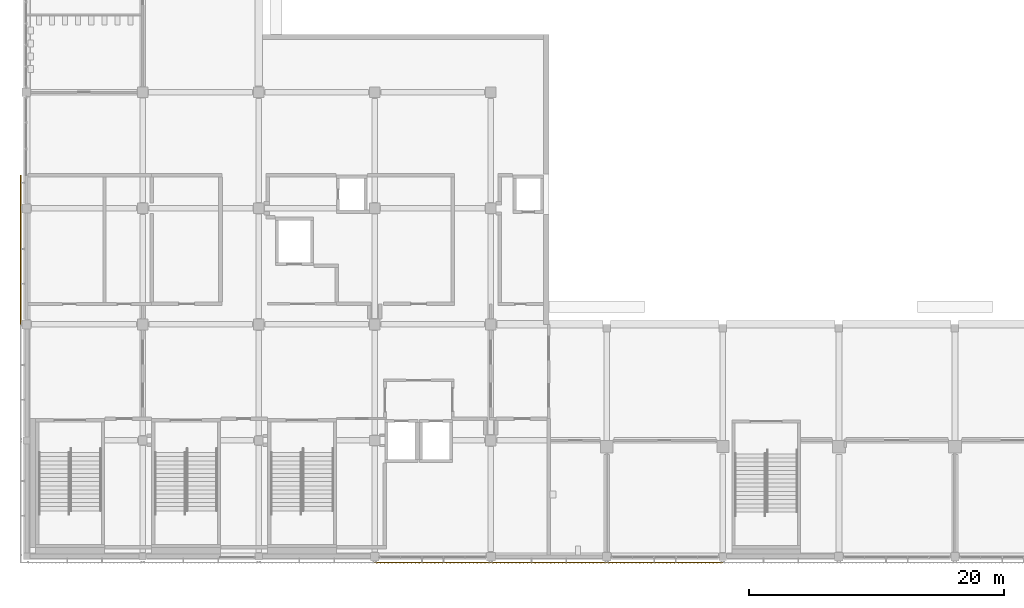
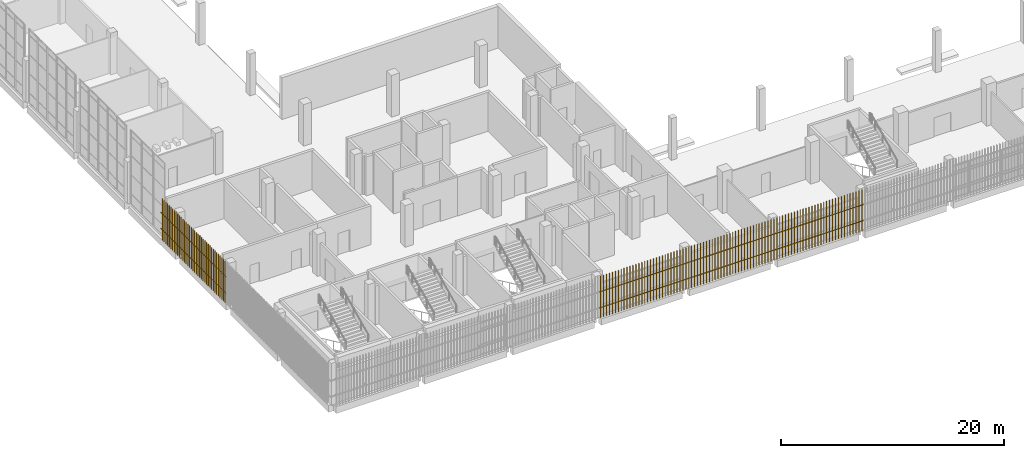
# One storey, part 109 of 126: 5 shading devices.
"""IFC4 building model written with IfcOpenShell, lengths in metres."""

from ifc_helpers import new_model, si_unit, direction, frame, origin, origin_2d, place, context, subcontext, project, spatial, rectangle, extrude, material, type_object, element, save


model = new_model("IFC4")

# Units and contexts
model_context = context("Model", 3, precision=1e-05, world=origin(), true_north=direction((0.0, 1.0)))
body_context = subcontext(model_context, "Body", "Model", "MODEL_VIEW")
ifc_project = project(units=[si_unit("LENGTHUNIT", "METRE"), si_unit("AREAUNIT", "SQUARE_METRE"), si_unit("VOLUMEUNIT", "CUBIC_METRE"), si_unit("PLANEANGLEUNIT", "RADIAN"), si_unit("MASSUNIT", "GRAM", prefix="KILO")], contexts=[model_context])

# Site, building, storey
site_placement = place(None, origin())
site = spatial("IfcSite", under=ifc_project, at=site_placement, CompositionType="ELEMENT")
building_placement = place(site_placement, origin())
building = spatial("IfcBuilding", under=site, at=building_placement, Name="Shirokan Park Arena", CompositionType="ELEMENT")
storey_placement = place(building_placement, frame((0.0, 0.0, 6.3701171875)))
storey = spatial("IfcBuildingStorey", under=building, at=storey_placement, Name="L01", CompositionType="ELEMENT", Elevation=6.3701171875)

# Shading devices
ifc_material = material(Name="Timber louvre veil (cedar)", Category="wood")
shading_device_type = type_object("IfcShadingDeviceType", Name="Timber louvre veil panel", PredefinedType="JALOUSIE", material=ifc_material)
shading_device_1_placement = place(storey_placement, origin())
element("IfcShadingDevice", 1, at=shading_device_1_placement, inside=storey, type_object=shading_device_type, Name="Timber louvre veil south bay 4 L01", PredefinedType="JALOUSIE", context=body_context, shape_type="SweptSolid", body=[
    extrude(rectangle(XDim=0.050048828125, YDim=0.080078125, at=origin_2d()), frame((27.45166015625, -0.485107421875, 0.0), z_axis=(0.0, 0.0, 1.0), x_axis=(1.0, 0.0, 0.0)), (0.0, 0.0, 1.0), 4.550048828125),
    extrude(rectangle(XDim=0.050048828125, YDim=0.080078125, at=origin_2d()), frame((27.7548828125, -0.485107421875, 0.0), z_axis=(0.0, 0.0, 1.0), x_axis=(1.0, 0.0, 0.0)), (0.0, 0.0, 1.0), 4.550048828125),
    extrude(rectangle(XDim=0.050048828125, YDim=0.080078125, at=origin_2d()), frame((28.058349609375, -0.485107421875, 0.0), z_axis=(0.0, 0.0, 1.0), x_axis=(1.0, 0.0, 0.0)), (0.0, 0.0, 1.0), 4.550048828125),
    extrude(rectangle(XDim=0.050048828125, YDim=0.080078125, at=origin_2d()), frame((28.361572265625, -0.485107421875, 0.0), z_axis=(0.0, 0.0, 1.0), x_axis=(1.0, 0.0, 0.0)), (0.0, 0.0, 1.0), 4.550048828125),
    extrude(rectangle(XDim=0.050048828125, YDim=0.080078125, at=origin_2d()), frame((28.6650390625, -0.485107421875, 0.0), z_axis=(0.0, 0.0, 1.0), x_axis=(1.0, 0.0, 0.0)), (0.0, 0.0, 1.0), 4.550048828125),
    extrude(rectangle(XDim=0.050048828125, YDim=0.080078125, at=origin_2d()), frame((28.96826171875, -0.485107421875, 0.0), z_axis=(0.0, 0.0, 1.0), x_axis=(1.0, 0.0, 0.0)), (0.0, 0.0, 1.0), 4.550048828125),
    extrude(rectangle(XDim=0.050048828125, YDim=0.080078125, at=origin_2d()), frame((29.271728515625, -0.485107421875, 0.0), z_axis=(0.0, 0.0, 1.0), x_axis=(1.0, 0.0, 0.0)), (0.0, 0.0, 1.0), 4.550048828125),
    extrude(rectangle(XDim=0.050048828125, YDim=0.080078125, at=origin_2d()), frame((29.574951171875, -0.485107421875, 0.0), z_axis=(0.0, 0.0, 1.0), x_axis=(1.0, 0.0, 0.0)), (0.0, 0.0, 1.0), 4.550048828125),
    extrude(rectangle(XDim=0.050048828125, YDim=0.080078125, at=origin_2d()), frame((29.87841796875, -0.485107421875, 0.0), z_axis=(0.0, 0.0, 1.0), x_axis=(1.0, 0.0, 0.0)), (0.0, 0.0, 1.0), 4.550048828125),
    extrude(rectangle(XDim=0.050048828125, YDim=0.080078125, at=origin_2d()), frame((30.181640625, -0.485107421875, 0.0), z_axis=(0.0, 0.0, 1.0), x_axis=(1.0, 0.0, 0.0)), (0.0, 0.0, 1.0), 4.550048828125),
    extrude(rectangle(XDim=0.050048828125, YDim=0.080078125, at=origin_2d()), frame((30.485107421875, -0.485107421875, 0.0), z_axis=(0.0, 0.0, 1.0), x_axis=(1.0, 0.0, 0.0)), (0.0, 0.0, 1.0), 4.550048828125),
    extrude(rectangle(XDim=0.050048828125, YDim=0.080078125, at=origin_2d()), frame((30.788330078125, -0.485107421875, 0.0), z_axis=(0.0, 0.0, 1.0), x_axis=(1.0, 0.0, 0.0)), (0.0, 0.0, 1.0), 4.550048828125),
    extrude(rectangle(XDim=0.050048828125, YDim=0.080078125, at=origin_2d()), frame((31.091552734375, -0.485107421875, 0.0), z_axis=(0.0, 0.0, 1.0), x_axis=(1.0, 0.0, 0.0)), (0.0, 0.0, 1.0), 4.550048828125),
    extrude(rectangle(XDim=0.050048828125, YDim=0.080078125, at=origin_2d()), frame((31.39501953125, -0.485107421875, 0.0), z_axis=(0.0, 0.0, 1.0), x_axis=(1.0, 0.0, 0.0)), (0.0, 0.0, 1.0), 4.550048828125),
    extrude(rectangle(XDim=0.050048828125, YDim=0.080078125, at=origin_2d()), frame((31.6982421875, -0.485107421875, 0.0), z_axis=(0.0, 0.0, 1.0), x_axis=(1.0, 0.0, 0.0)), (0.0, 0.0, 1.0), 4.550048828125),
    extrude(rectangle(XDim=0.050048828125, YDim=0.080078125, at=origin_2d()), frame((32.001708984375, -0.485107421875, 0.0), z_axis=(0.0, 0.0, 1.0), x_axis=(1.0, 0.0, 0.0)), (0.0, 0.0, 1.0), 4.550048828125),
    extrude(rectangle(XDim=0.050048828125, YDim=0.080078125, at=origin_2d()), frame((32.304931640625, -0.485107421875, 0.0), z_axis=(0.0, 0.0, 1.0), x_axis=(1.0, 0.0, 0.0)), (0.0, 0.0, 1.0), 4.550048828125),
    extrude(rectangle(XDim=0.050048828125, YDim=0.080078125, at=origin_2d()), frame((32.6083984375, -0.485107421875, 0.0), z_axis=(0.0, 0.0, 1.0), x_axis=(1.0, 0.0, 0.0)), (0.0, 0.0, 1.0), 4.550048828125),
    extrude(rectangle(XDim=0.050048828125, YDim=0.080078125, at=origin_2d()), frame((32.91162109375, -0.485107421875, 0.0), z_axis=(0.0, 0.0, 1.0), x_axis=(1.0, 0.0, 0.0)), (0.0, 0.0, 1.0), 4.550048828125),
    extrude(rectangle(XDim=0.050048828125, YDim=0.080078125, at=origin_2d()), frame((33.215087890625, -0.485107421875, 0.0), z_axis=(0.0, 0.0, 1.0), x_axis=(1.0, 0.0, 0.0)), (0.0, 0.0, 1.0), 4.550048828125),
    extrude(rectangle(XDim=0.050048828125, YDim=0.080078125, at=origin_2d()), frame((33.518310546875, -0.485107421875, 0.0), z_axis=(0.0, 0.0, 1.0), x_axis=(1.0, 0.0, 0.0)), (0.0, 0.0, 1.0), 4.550048828125),
    extrude(rectangle(XDim=0.050048828125, YDim=0.080078125, at=origin_2d()), frame((33.82177734375, -0.485107421875, 0.0), z_axis=(0.0, 0.0, 1.0), x_axis=(1.0, 0.0, 0.0)), (0.0, 0.0, 1.0), 4.550048828125),
    extrude(rectangle(XDim=0.050048828125, YDim=0.080078125, at=origin_2d()), frame((34.125, -0.485107421875, 0.0), z_axis=(0.0, 0.0, 1.0), x_axis=(1.0, 0.0, 0.0)), (0.0, 0.0, 1.0), 4.550048828125),
    extrude(rectangle(XDim=0.050048828125, YDim=0.080078125, at=origin_2d()), frame((34.42822265625, -0.485107421875, 0.0), z_axis=(0.0, 0.0, 1.0), x_axis=(1.0, 0.0, 0.0)), (0.0, 0.0, 1.0), 4.550048828125),
    extrude(rectangle(XDim=0.050048828125, YDim=0.080078125, at=origin_2d()), frame((34.731689453125, -0.485107421875, 0.0), z_axis=(0.0, 0.0, 1.0), x_axis=(1.0, 0.0, 0.0)), (0.0, 0.0, 1.0), 4.550048828125),
    extrude(rectangle(XDim=0.050048828125, YDim=0.080078125, at=origin_2d()), frame((35.034912109375, -0.485107421875, 0.0), z_axis=(0.0, 0.0, 1.0), x_axis=(1.0, 0.0, 0.0)), (0.0, 0.0, 1.0), 4.550048828125),
    extrude(rectangle(XDim=0.050048828125, YDim=0.080078125, at=origin_2d()), frame((35.33837890625, -0.485107421875, 0.0), z_axis=(0.0, 0.0, 1.0), x_axis=(1.0, 0.0, 0.0)), (0.0, 0.0, 1.0), 4.550048828125),
    extrude(rectangle(XDim=0.050048828125, YDim=0.080078125, at=origin_2d()), frame((35.6416015625, -0.485107421875, 0.0), z_axis=(0.0, 0.0, 1.0), x_axis=(1.0, 0.0, 0.0)), (0.0, 0.0, 1.0), 4.550048828125),
    extrude(rectangle(XDim=0.050048828125, YDim=0.080078125, at=origin_2d()), frame((35.945068359375, -0.485107421875, 0.0), z_axis=(0.0, 0.0, 1.0), x_axis=(1.0, 0.0, 0.0)), (0.0, 0.0, 1.0), 4.550048828125),
    extrude(rectangle(XDim=0.050048828125, YDim=0.080078125, at=origin_2d()), frame((36.248291015625, -0.485107421875, 0.0), z_axis=(0.0, 0.0, 1.0), x_axis=(1.0, 0.0, 0.0)), (0.0, 0.0, 1.0), 4.550048828125),
    extrude(rectangle(XDim=9.10009765625, YDim=0.050048828125, at=origin_2d()), frame((31.85009765625, -0.469970703125, 1.059814453125), z_axis=(0.0, 0.0, 1.0), x_axis=(1.0, 0.0, 0.0)), (0.0, 0.0, 1.0), 0.080078125),
    extrude(rectangle(XDim=9.10009765625, YDim=0.050048828125, at=origin_2d()), frame((31.85009765625, -0.469970703125, 2.809814453125), z_axis=(0.0, 0.0, 1.0), x_axis=(1.0, 0.0, 0.0)), (0.0, 0.0, 1.0), 0.080078125),
])
shading_device_2_placement = place(storey_placement, origin())
element("IfcShadingDevice", 2, at=shading_device_2_placement, inside=storey, type_object=shading_device_type, Name="Timber louvre veil south bay 5 L01", PredefinedType="JALOUSIE", context=body_context, shape_type="SweptSolid", body=[
    extrude(rectangle(XDim=0.050048828125, YDim=0.080078125, at=origin_2d()), frame((36.5517578125, -0.485107421875, 0.0), z_axis=(0.0, 0.0, 1.0), x_axis=(1.0, 0.0, 0.0)), (0.0, 0.0, 1.0), 4.550048828125),
    extrude(rectangle(XDim=0.050048828125, YDim=0.080078125, at=origin_2d()), frame((36.85498046875, -0.485107421875, 0.0), z_axis=(0.0, 0.0, 1.0), x_axis=(1.0, 0.0, 0.0)), (0.0, 0.0, 1.0), 4.550048828125),
    extrude(rectangle(XDim=0.050048828125, YDim=0.080078125, at=origin_2d()), frame((37.158447265625, -0.485107421875, 0.0), z_axis=(0.0, 0.0, 1.0), x_axis=(1.0, 0.0, 0.0)), (0.0, 0.0, 1.0), 4.550048828125),
    extrude(rectangle(XDim=0.050048828125, YDim=0.080078125, at=origin_2d()), frame((37.461669921875, -0.485107421875, 0.0), z_axis=(0.0, 0.0, 1.0), x_axis=(1.0, 0.0, 0.0)), (0.0, 0.0, 1.0), 4.550048828125),
    extrude(rectangle(XDim=0.050048828125, YDim=0.080078125, at=origin_2d()), frame((37.764892578125, -0.485107421875, 0.0), z_axis=(0.0, 0.0, 1.0), x_axis=(1.0, 0.0, 0.0)), (0.0, 0.0, 1.0), 4.550048828125),
    extrude(rectangle(XDim=0.050048828125, YDim=0.080078125, at=origin_2d()), frame((38.068359375, -0.485107421875, 0.0), z_axis=(0.0, 0.0, 1.0), x_axis=(1.0, 0.0, 0.0)), (0.0, 0.0, 1.0), 4.550048828125),
    extrude(rectangle(XDim=0.050048828125, YDim=0.080078125, at=origin_2d()), frame((38.37158203125, -0.485107421875, 0.0), z_axis=(0.0, 0.0, 1.0), x_axis=(1.0, 0.0, 0.0)), (0.0, 0.0, 1.0), 4.550048828125),
    extrude(rectangle(XDim=0.050048828125, YDim=0.080078125, at=origin_2d()), frame((38.675048828125, -0.485107421875, 0.0), z_axis=(0.0, 0.0, 1.0), x_axis=(1.0, 0.0, 0.0)), (0.0, 0.0, 1.0), 4.550048828125),
    extrude(rectangle(XDim=0.050048828125, YDim=0.080078125, at=origin_2d()), frame((38.978271484375, -0.485107421875, 0.0), z_axis=(0.0, 0.0, 1.0), x_axis=(1.0, 0.0, 0.0)), (0.0, 0.0, 1.0), 4.550048828125),
    extrude(rectangle(XDim=0.050048828125, YDim=0.080078125, at=origin_2d()), frame((39.28173828125, -0.485107421875, 0.0), z_axis=(0.0, 0.0, 1.0), x_axis=(1.0, 0.0, 0.0)), (0.0, 0.0, 1.0), 4.550048828125),
    extrude(rectangle(XDim=0.050048828125, YDim=0.080078125, at=origin_2d()), frame((39.5849609375, -0.485107421875, 0.0), z_axis=(0.0, 0.0, 1.0), x_axis=(1.0, 0.0, 0.0)), (0.0, 0.0, 1.0), 4.550048828125),
    extrude(rectangle(XDim=0.050048828125, YDim=0.080078125, at=origin_2d()), frame((39.888427734375, -0.485107421875, 0.0), z_axis=(0.0, 0.0, 1.0), x_axis=(1.0, 0.0, 0.0)), (0.0, 0.0, 1.0), 4.550048828125),
    extrude(rectangle(XDim=0.050048828125, YDim=0.080078125, at=origin_2d()), frame((40.191650390625, -0.485107421875, 0.0), z_axis=(0.0, 0.0, 1.0), x_axis=(1.0, 0.0, 0.0)), (0.0, 0.0, 1.0), 4.550048828125),
    extrude(rectangle(XDim=0.050048828125, YDim=0.080078125, at=origin_2d()), frame((40.4951171875, -0.485107421875, 0.0), z_axis=(0.0, 0.0, 1.0), x_axis=(1.0, 0.0, 0.0)), (0.0, 0.0, 1.0), 4.550048828125),
    extrude(rectangle(XDim=0.050048828125, YDim=0.080078125, at=origin_2d()), frame((40.79833984375, -0.485107421875, 0.0), z_axis=(0.0, 0.0, 1.0), x_axis=(1.0, 0.0, 0.0)), (0.0, 0.0, 1.0), 4.550048828125),
    extrude(rectangle(XDim=0.050048828125, YDim=0.080078125, at=origin_2d()), frame((41.1015625, -0.485107421875, 0.0), z_axis=(0.0, 0.0, 1.0), x_axis=(1.0, 0.0, 0.0)), (0.0, 0.0, 1.0), 4.550048828125),
    extrude(rectangle(XDim=0.050048828125, YDim=0.080078125, at=origin_2d()), frame((41.405029296875, -0.485107421875, 0.0), z_axis=(0.0, 0.0, 1.0), x_axis=(1.0, 0.0, 0.0)), (0.0, 0.0, 1.0), 4.550048828125),
    extrude(rectangle(XDim=0.050048828125, YDim=0.080078125, at=origin_2d()), frame((41.708251953125, -0.485107421875, 0.0), z_axis=(0.0, 0.0, 1.0), x_axis=(1.0, 0.0, 0.0)), (0.0, 0.0, 1.0), 4.550048828125),
    extrude(rectangle(XDim=0.050048828125, YDim=0.080078125, at=origin_2d()), frame((42.01171875, -0.485107421875, 0.0), z_axis=(0.0, 0.0, 1.0), x_axis=(1.0, 0.0, 0.0)), (0.0, 0.0, 1.0), 4.550048828125),
    extrude(rectangle(XDim=0.050048828125, YDim=0.080078125, at=origin_2d()), frame((42.31494140625, -0.485107421875, 0.0), z_axis=(0.0, 0.0, 1.0), x_axis=(1.0, 0.0, 0.0)), (0.0, 0.0, 1.0), 4.550048828125),
    extrude(rectangle(XDim=0.050048828125, YDim=0.080078125, at=origin_2d()), frame((42.618408203125, -0.485107421875, 0.0), z_axis=(0.0, 0.0, 1.0), x_axis=(1.0, 0.0, 0.0)), (0.0, 0.0, 1.0), 4.550048828125),
    extrude(rectangle(XDim=0.050048828125, YDim=0.080078125, at=origin_2d()), frame((42.921630859375, -0.485107421875, 0.0), z_axis=(0.0, 0.0, 1.0), x_axis=(1.0, 0.0, 0.0)), (0.0, 0.0, 1.0), 4.550048828125),
    extrude(rectangle(XDim=0.050048828125, YDim=0.080078125, at=origin_2d()), frame((43.22509765625, -0.485107421875, 0.0), z_axis=(0.0, 0.0, 1.0), x_axis=(1.0, 0.0, 0.0)), (0.0, 0.0, 1.0), 4.550048828125),
    extrude(rectangle(XDim=0.050048828125, YDim=0.080078125, at=origin_2d()), frame((43.5283203125, -0.485107421875, 0.0), z_axis=(0.0, 0.0, 1.0), x_axis=(1.0, 0.0, 0.0)), (0.0, 0.0, 1.0), 4.550048828125),
    extrude(rectangle(XDim=0.050048828125, YDim=0.080078125, at=origin_2d()), frame((43.831787109375, -0.485107421875, 0.0), z_axis=(0.0, 0.0, 1.0), x_axis=(1.0, 0.0, 0.0)), (0.0, 0.0, 1.0), 4.550048828125),
    extrude(rectangle(XDim=0.050048828125, YDim=0.080078125, at=origin_2d()), frame((44.135009765625, -0.485107421875, 0.0), z_axis=(0.0, 0.0, 1.0), x_axis=(1.0, 0.0, 0.0)), (0.0, 0.0, 1.0), 4.550048828125),
    extrude(rectangle(XDim=0.050048828125, YDim=0.080078125, at=origin_2d()), frame((44.438232421875, -0.485107421875, 0.0), z_axis=(0.0, 0.0, 1.0), x_axis=(1.0, 0.0, 0.0)), (0.0, 0.0, 1.0), 4.550048828125),
    extrude(rectangle(XDim=0.050048828125, YDim=0.080078125, at=origin_2d()), frame((44.74169921875, -0.485107421875, 0.0), z_axis=(0.0, 0.0, 1.0), x_axis=(1.0, 0.0, 0.0)), (0.0, 0.0, 1.0), 4.550048828125),
    extrude(rectangle(XDim=0.050048828125, YDim=0.080078125, at=origin_2d()), frame((45.044921875, -0.485107421875, 0.0), z_axis=(0.0, 0.0, 1.0), x_axis=(1.0, 0.0, 0.0)), (0.0, 0.0, 1.0), 4.550048828125),
    extrude(rectangle(XDim=0.050048828125, YDim=0.080078125, at=origin_2d()), frame((45.348388671875, -0.485107421875, 0.0), z_axis=(0.0, 0.0, 1.0), x_axis=(1.0, 0.0, 0.0)), (0.0, 0.0, 1.0), 4.550048828125),
    extrude(rectangle(XDim=9.10009765625, YDim=0.050048828125, at=origin_2d()), frame((40.949951171875, -0.469970703125, 1.059814453125), z_axis=(0.0, 0.0, 1.0), x_axis=(1.0, 0.0, 0.0)), (0.0, 0.0, 1.0), 0.080078125),
    extrude(rectangle(XDim=9.10009765625, YDim=0.050048828125, at=origin_2d()), frame((40.949951171875, -0.469970703125, 2.809814453125), z_axis=(0.0, 0.0, 1.0), x_axis=(1.0, 0.0, 0.0)), (0.0, 0.0, 1.0), 0.080078125),
])
shading_device_3_placement = place(storey_placement, origin())
element("IfcShadingDevice", 3, at=shading_device_3_placement, inside=storey, type_object=shading_device_type, Name="Timber louvre veil south bay 6 L01", PredefinedType="JALOUSIE", context=body_context, shape_type="SweptSolid", body=[
    extrude(rectangle(XDim=0.050048828125, YDim=0.080078125, at=origin_2d()), frame((45.651611328125, -0.485107421875, 0.0), z_axis=(0.0, 0.0, 1.0), x_axis=(1.0, 0.0, 0.0)), (0.0, 0.0, 1.0), 4.550048828125),
    extrude(rectangle(XDim=0.050048828125, YDim=0.080078125, at=origin_2d()), frame((45.955078125, -0.485107421875, 0.0), z_axis=(0.0, 0.0, 1.0), x_axis=(1.0, 0.0, 0.0)), (0.0, 0.0, 1.0), 4.550048828125),
    extrude(rectangle(XDim=0.050048828125, YDim=0.080078125, at=origin_2d()), frame((46.25830078125, -0.485107421875, 0.0), z_axis=(0.0, 0.0, 1.0), x_axis=(1.0, 0.0, 0.0)), (0.0, 0.0, 1.0), 4.550048828125),
    extrude(rectangle(XDim=0.050048828125, YDim=0.080078125, at=origin_2d()), frame((46.561767578125, -0.485107421875, 0.0), z_axis=(0.0, 0.0, 1.0), x_axis=(1.0, 0.0, 0.0)), (0.0, 0.0, 1.0), 4.550048828125),
    extrude(rectangle(XDim=0.050048828125, YDim=0.080078125, at=origin_2d()), frame((46.864990234375, -0.485107421875, 0.0), z_axis=(0.0, 0.0, 1.0), x_axis=(1.0, 0.0, 0.0)), (0.0, 0.0, 1.0), 4.550048828125),
    extrude(rectangle(XDim=0.050048828125, YDim=0.080078125, at=origin_2d()), frame((47.168212890625, -0.485107421875, 0.0), z_axis=(0.0, 0.0, 1.0), x_axis=(1.0, 0.0, 0.0)), (0.0, 0.0, 1.0), 4.550048828125),
    extrude(rectangle(XDim=0.050048828125, YDim=0.080078125, at=origin_2d()), frame((47.4716796875, -0.485107421875, 0.0), z_axis=(0.0, 0.0, 1.0), x_axis=(1.0, 0.0, 0.0)), (0.0, 0.0, 1.0), 4.550048828125),
    extrude(rectangle(XDim=0.050048828125, YDim=0.080078125, at=origin_2d()), frame((47.77490234375, -0.485107421875, 0.0), z_axis=(0.0, 0.0, 1.0), x_axis=(1.0, 0.0, 0.0)), (0.0, 0.0, 1.0), 4.550048828125),
    extrude(rectangle(XDim=0.050048828125, YDim=0.080078125, at=origin_2d()), frame((48.078369140625, -0.485107421875, 0.0), z_axis=(0.0, 0.0, 1.0), x_axis=(1.0, 0.0, 0.0)), (0.0, 0.0, 1.0), 4.550048828125),
    extrude(rectangle(XDim=0.050048828125, YDim=0.080078125, at=origin_2d()), frame((48.381591796875, -0.485107421875, 0.0), z_axis=(0.0, 0.0, 1.0), x_axis=(1.0, 0.0, 0.0)), (0.0, 0.0, 1.0), 4.550048828125),
    extrude(rectangle(XDim=0.050048828125, YDim=0.080078125, at=origin_2d()), frame((48.68505859375, -0.485107421875, 0.0), z_axis=(0.0, 0.0, 1.0), x_axis=(1.0, 0.0, 0.0)), (0.0, 0.0, 1.0), 4.550048828125),
    extrude(rectangle(XDim=0.050048828125, YDim=0.080078125, at=origin_2d()), frame((48.98828125, -0.485107421875, 0.0), z_axis=(0.0, 0.0, 1.0), x_axis=(1.0, 0.0, 0.0)), (0.0, 0.0, 1.0), 4.550048828125),
    extrude(rectangle(XDim=0.050048828125, YDim=0.080078125, at=origin_2d()), frame((49.291748046875, -0.485107421875, 0.0), z_axis=(0.0, 0.0, 1.0), x_axis=(1.0, 0.0, 0.0)), (0.0, 0.0, 1.0), 4.550048828125),
    extrude(rectangle(XDim=0.050048828125, YDim=0.080078125, at=origin_2d()), frame((49.594970703125, -0.485107421875, 0.0), z_axis=(0.0, 0.0, 1.0), x_axis=(1.0, 0.0, 0.0)), (0.0, 0.0, 1.0), 4.550048828125),
    extrude(rectangle(XDim=0.050048828125, YDim=0.080078125, at=origin_2d()), frame((49.8984375, -0.485107421875, 0.0), z_axis=(0.0, 0.0, 1.0), x_axis=(1.0, 0.0, 0.0)), (0.0, 0.0, 1.0), 4.550048828125),
    extrude(rectangle(XDim=0.050048828125, YDim=0.080078125, at=origin_2d()), frame((50.20166015625, -0.485107421875, 0.0), z_axis=(0.0, 0.0, 1.0), x_axis=(1.0, 0.0, 0.0)), (0.0, 0.0, 1.0), 4.550048828125),
    extrude(rectangle(XDim=0.050048828125, YDim=0.080078125, at=origin_2d()), frame((50.5048828125, -0.485107421875, 0.0), z_axis=(0.0, 0.0, 1.0), x_axis=(1.0, 0.0, 0.0)), (0.0, 0.0, 1.0), 4.550048828125),
    extrude(rectangle(XDim=0.050048828125, YDim=0.080078125, at=origin_2d()), frame((50.808349609375, -0.485107421875, 0.0), z_axis=(0.0, 0.0, 1.0), x_axis=(1.0, 0.0, 0.0)), (0.0, 0.0, 1.0), 4.550048828125),
    extrude(rectangle(XDim=0.050048828125, YDim=0.080078125, at=origin_2d()), frame((51.111572265625, -0.485107421875, 0.0), z_axis=(0.0, 0.0, 1.0), x_axis=(1.0, 0.0, 0.0)), (0.0, 0.0, 1.0), 4.550048828125),
    extrude(rectangle(XDim=0.050048828125, YDim=0.080078125, at=origin_2d()), frame((51.4150390625, -0.485107421875, 0.0), z_axis=(0.0, 0.0, 1.0), x_axis=(1.0, 0.0, 0.0)), (0.0, 0.0, 1.0), 4.550048828125),
    extrude(rectangle(XDim=0.050048828125, YDim=0.080078125, at=origin_2d()), frame((51.71826171875, -0.485107421875, 0.0), z_axis=(0.0, 0.0, 1.0), x_axis=(1.0, 0.0, 0.0)), (0.0, 0.0, 1.0), 4.550048828125),
    extrude(rectangle(XDim=0.050048828125, YDim=0.080078125, at=origin_2d()), frame((52.021728515625, -0.485107421875, 0.0), z_axis=(0.0, 0.0, 1.0), x_axis=(1.0, 0.0, 0.0)), (0.0, 0.0, 1.0), 4.550048828125),
    extrude(rectangle(XDim=0.050048828125, YDim=0.080078125, at=origin_2d()), frame((52.324951171875, -0.485107421875, 0.0), z_axis=(0.0, 0.0, 1.0), x_axis=(1.0, 0.0, 0.0)), (0.0, 0.0, 1.0), 4.550048828125),
    extrude(rectangle(XDim=0.050048828125, YDim=0.080078125, at=origin_2d()), frame((52.62841796875, -0.485107421875, 0.0), z_axis=(0.0, 0.0, 1.0), x_axis=(1.0, 0.0, 0.0)), (0.0, 0.0, 1.0), 4.550048828125),
    extrude(rectangle(XDim=0.050048828125, YDim=0.080078125, at=origin_2d()), frame((52.931640625, -0.485107421875, 0.0), z_axis=(0.0, 0.0, 1.0), x_axis=(1.0, 0.0, 0.0)), (0.0, 0.0, 1.0), 4.550048828125),
    extrude(rectangle(XDim=0.050048828125, YDim=0.080078125, at=origin_2d()), frame((53.235107421875, -0.485107421875, 0.0), z_axis=(0.0, 0.0, 1.0), x_axis=(1.0, 0.0, 0.0)), (0.0, 0.0, 1.0), 4.550048828125),
    extrude(rectangle(XDim=0.050048828125, YDim=0.080078125, at=origin_2d()), frame((53.538330078125, -0.485107421875, 0.0), z_axis=(0.0, 0.0, 1.0), x_axis=(1.0, 0.0, 0.0)), (0.0, 0.0, 1.0), 4.550048828125),
    extrude(rectangle(XDim=0.050048828125, YDim=0.080078125, at=origin_2d()), frame((53.841552734375, -0.485107421875, 0.0), z_axis=(0.0, 0.0, 1.0), x_axis=(1.0, 0.0, 0.0)), (0.0, 0.0, 1.0), 4.550048828125),
    extrude(rectangle(XDim=0.050048828125, YDim=0.080078125, at=origin_2d()), frame((54.14501953125, -0.485107421875, 0.0), z_axis=(0.0, 0.0, 1.0), x_axis=(1.0, 0.0, 0.0)), (0.0, 0.0, 1.0), 4.550048828125),
    extrude(rectangle(XDim=0.050048828125, YDim=0.080078125, at=origin_2d()), frame((54.4482421875, -0.485107421875, 0.0), z_axis=(0.0, 0.0, 1.0), x_axis=(1.0, 0.0, 0.0)), (0.0, 0.0, 1.0), 4.550048828125),
    extrude(rectangle(XDim=9.10009765625, YDim=0.050048828125, at=origin_2d()), frame((50.050048828125, -0.469970703125, 1.059814453125), z_axis=(0.0, 0.0, 1.0), x_axis=(1.0, 0.0, 0.0)), (0.0, 0.0, 1.0), 0.080078125),
    extrude(rectangle(XDim=9.10009765625, YDim=0.050048828125, at=origin_2d()), frame((50.050048828125, -0.469970703125, 2.809814453125), z_axis=(0.0, 0.0, 1.0), x_axis=(1.0, 0.0, 0.0)), (0.0, 0.0, 1.0), 0.080078125),
])
shading_device_4_placement = place(storey_placement, origin())
element("IfcShadingDevice", 4, at=shading_device_4_placement, inside=storey, type_object=shading_device_type, Name="Timber louvre veil west bay 9 L01", PredefinedType="JALOUSIE", context=body_context, shape_type="SweptSolid", body=[
    extrude(rectangle(XDim=0.050048828125, YDim=0.080078125, at=origin_2d()), frame((-0.485107421875, 29.574951171875, 0.0), z_axis=(0.0, 0.0, 1.0), x_axis=(0.0, -1.0, 0.0)), (0.0, 0.0, 1.0), 4.550048828125),
    extrude(rectangle(XDim=0.050048828125, YDim=0.080078125, at=origin_2d()), frame((-0.485107421875, 29.271728515625, 0.0), z_axis=(0.0, 0.0, 1.0), x_axis=(0.0, -1.0, 0.0)), (0.0, 0.0, 1.0), 4.550048828125),
    extrude(rectangle(XDim=0.050048828125, YDim=0.080078125, at=origin_2d()), frame((-0.485107421875, 28.96826171875, 0.0), z_axis=(0.0, 0.0, 1.0), x_axis=(0.0, -1.0, 0.0)), (0.0, 0.0, 1.0), 4.550048828125),
    extrude(rectangle(XDim=0.050048828125, YDim=0.080078125, at=origin_2d()), frame((-0.485107421875, 28.6650390625, 0.0), z_axis=(0.0, 0.0, 1.0), x_axis=(0.0, -1.0, 0.0)), (0.0, 0.0, 1.0), 4.550048828125),
    extrude(rectangle(XDim=0.050048828125, YDim=0.080078125, at=origin_2d()), frame((-0.485107421875, 28.361572265625, 0.0), z_axis=(0.0, 0.0, 1.0), x_axis=(0.0, -1.0, 0.0)), (0.0, 0.0, 1.0), 4.550048828125),
    extrude(rectangle(XDim=0.050048828125, YDim=0.080078125, at=origin_2d()), frame((-0.485107421875, 28.058349609375, 0.0), z_axis=(0.0, 0.0, 1.0), x_axis=(0.0, -1.0, 0.0)), (0.0, 0.0, 1.0), 4.550048828125),
    extrude(rectangle(XDim=0.050048828125, YDim=0.080078125, at=origin_2d()), frame((-0.485107421875, 27.7548828125, 0.0), z_axis=(0.0, 0.0, 1.0), x_axis=(0.0, -1.0, 0.0)), (0.0, 0.0, 1.0), 4.550048828125),
    extrude(rectangle(XDim=0.050048828125, YDim=0.080078125, at=origin_2d()), frame((-0.485107421875, 27.45166015625, 0.0), z_axis=(0.0, 0.0, 1.0), x_axis=(0.0, -1.0, 0.0)), (0.0, 0.0, 1.0), 4.550048828125),
    extrude(rectangle(XDim=2.60009765625, YDim=0.050048828125, at=origin_2d()), frame((-0.469970703125, 28.60009765625, 1.059814453125), z_axis=(0.0, 0.0, 1.0), x_axis=(0.0, -1.0, 0.0)), (0.0, 0.0, 1.0), 0.080078125),
    extrude(rectangle(XDim=2.60009765625, YDim=0.050048828125, at=origin_2d()), frame((-0.469970703125, 28.60009765625, 2.809814453125), z_axis=(0.0, 0.0, 1.0), x_axis=(0.0, -1.0, 0.0)), (0.0, 0.0, 1.0), 0.080078125),
])
shading_device_5_placement = place(storey_placement, origin())
element("IfcShadingDevice", 5, at=shading_device_5_placement, inside=storey, type_object=shading_device_type, Name="Timber louvre veil west bay 10 L01", PredefinedType="JALOUSIE", context=body_context, shape_type="SweptSolid", body=[
    extrude(rectangle(XDim=0.050048828125, YDim=0.080078125, at=origin_2d()), frame((-0.485107421875, 27.1484375, 0.0), z_axis=(0.0, 0.0, 1.0), x_axis=(0.0, -1.0, 0.0)), (0.0, 0.0, 1.0), 4.550048828125),
    extrude(rectangle(XDim=0.050048828125, YDim=0.080078125, at=origin_2d()), frame((-0.485107421875, 26.844970703125, 0.0), z_axis=(0.0, 0.0, 1.0), x_axis=(0.0, -1.0, 0.0)), (0.0, 0.0, 1.0), 4.550048828125),
    extrude(rectangle(XDim=0.050048828125, YDim=0.080078125, at=origin_2d()), frame((-0.485107421875, 26.541748046875, 0.0), z_axis=(0.0, 0.0, 1.0), x_axis=(0.0, -1.0, 0.0)), (0.0, 0.0, 1.0), 4.550048828125),
    extrude(rectangle(XDim=0.050048828125, YDim=0.080078125, at=origin_2d()), frame((-0.485107421875, 26.23828125, 0.0), z_axis=(0.0, 0.0, 1.0), x_axis=(0.0, -1.0, 0.0)), (0.0, 0.0, 1.0), 4.550048828125),
    extrude(rectangle(XDim=0.050048828125, YDim=0.080078125, at=origin_2d()), frame((-0.485107421875, 25.93505859375, 0.0), z_axis=(0.0, 0.0, 1.0), x_axis=(0.0, -1.0, 0.0)), (0.0, 0.0, 1.0), 4.550048828125),
    extrude(rectangle(XDim=0.050048828125, YDim=0.080078125, at=origin_2d()), frame((-0.485107421875, 25.631591796875, 0.0), z_axis=(0.0, 0.0, 1.0), x_axis=(0.0, -1.0, 0.0)), (0.0, 0.0, 1.0), 4.550048828125),
    extrude(rectangle(XDim=0.050048828125, YDim=0.080078125, at=origin_2d()), frame((-0.485107421875, 25.328369140625, 0.0), z_axis=(0.0, 0.0, 1.0), x_axis=(0.0, -1.0, 0.0)), (0.0, 0.0, 1.0), 4.550048828125),
    extrude(rectangle(XDim=0.050048828125, YDim=0.080078125, at=origin_2d()), frame((-0.485107421875, 25.02490234375, 0.0), z_axis=(0.0, 0.0, 1.0), x_axis=(0.0, -1.0, 0.0)), (0.0, 0.0, 1.0), 4.550048828125),
    extrude(rectangle(XDim=0.050048828125, YDim=0.080078125, at=origin_2d()), frame((-0.485107421875, 24.7216796875, 0.0), z_axis=(0.0, 0.0, 1.0), x_axis=(0.0, -1.0, 0.0)), (0.0, 0.0, 1.0), 4.550048828125),
    extrude(rectangle(XDim=0.050048828125, YDim=0.080078125, at=origin_2d()), frame((-0.485107421875, 24.418212890625, 0.0), z_axis=(0.0, 0.0, 1.0), x_axis=(0.0, -1.0, 0.0)), (0.0, 0.0, 1.0), 4.550048828125),
    extrude(rectangle(XDim=0.050048828125, YDim=0.080078125, at=origin_2d()), frame((-0.485107421875, 24.114990234375, 0.0), z_axis=(0.0, 0.0, 1.0), x_axis=(0.0, -1.0, 0.0)), (0.0, 0.0, 1.0), 4.550048828125),
    extrude(rectangle(XDim=0.050048828125, YDim=0.080078125, at=origin_2d()), frame((-0.485107421875, 23.811767578125, 0.0), z_axis=(0.0, 0.0, 1.0), x_axis=(0.0, -1.0, 0.0)), (0.0, 0.0, 1.0), 4.550048828125),
    extrude(rectangle(XDim=0.050048828125, YDim=0.080078125, at=origin_2d()), frame((-0.485107421875, 23.50830078125, 0.0), z_axis=(0.0, 0.0, 1.0), x_axis=(0.0, -1.0, 0.0)), (0.0, 0.0, 1.0), 4.550048828125),
    extrude(rectangle(XDim=0.050048828125, YDim=0.080078125, at=origin_2d()), frame((-0.485107421875, 23.205078125, 0.0), z_axis=(0.0, 0.0, 1.0), x_axis=(0.0, -1.0, 0.0)), (0.0, 0.0, 1.0), 4.550048828125),
    extrude(rectangle(XDim=0.050048828125, YDim=0.080078125, at=origin_2d()), frame((-0.485107421875, 22.901611328125, 0.0), z_axis=(0.0, 0.0, 1.0), x_axis=(0.0, -1.0, 0.0)), (0.0, 0.0, 1.0), 4.550048828125),
    extrude(rectangle(XDim=0.050048828125, YDim=0.080078125, at=origin_2d()), frame((-0.485107421875, 22.598388671875, 0.0), z_axis=(0.0, 0.0, 1.0), x_axis=(0.0, -1.0, 0.0)), (0.0, 0.0, 1.0), 4.550048828125),
    extrude(rectangle(XDim=0.050048828125, YDim=0.080078125, at=origin_2d()), frame((-0.485107421875, 22.294921875, 0.0), z_axis=(0.0, 0.0, 1.0), x_axis=(0.0, -1.0, 0.0)), (0.0, 0.0, 1.0), 4.550048828125),
    extrude(rectangle(XDim=0.050048828125, YDim=0.080078125, at=origin_2d()), frame((-0.485107421875, 21.99169921875, 0.0), z_axis=(0.0, 0.0, 1.0), x_axis=(0.0, -1.0, 0.0)), (0.0, 0.0, 1.0), 4.550048828125),
    extrude(rectangle(XDim=0.050048828125, YDim=0.080078125, at=origin_2d()), frame((-0.485107421875, 21.688232421875, 0.0), z_axis=(0.0, 0.0, 1.0), x_axis=(0.0, -1.0, 0.0)), (0.0, 0.0, 1.0), 4.550048828125),
    extrude(rectangle(XDim=0.050048828125, YDim=0.080078125, at=origin_2d()), frame((-0.485107421875, 21.385009765625, 0.0), z_axis=(0.0, 0.0, 1.0), x_axis=(0.0, -1.0, 0.0)), (0.0, 0.0, 1.0), 4.550048828125),
    extrude(rectangle(XDim=0.050048828125, YDim=0.080078125, at=origin_2d()), frame((-0.485107421875, 21.081787109375, 0.0), z_axis=(0.0, 0.0, 1.0), x_axis=(0.0, -1.0, 0.0)), (0.0, 0.0, 1.0), 4.550048828125),
    extrude(rectangle(XDim=0.050048828125, YDim=0.080078125, at=origin_2d()), frame((-0.485107421875, 20.7783203125, 0.0), z_axis=(0.0, 0.0, 1.0), x_axis=(0.0, -1.0, 0.0)), (0.0, 0.0, 1.0), 4.550048828125),
    extrude(rectangle(XDim=0.050048828125, YDim=0.080078125, at=origin_2d()), frame((-0.485107421875, 20.47509765625, 0.0), z_axis=(0.0, 0.0, 1.0), x_axis=(0.0, -1.0, 0.0)), (0.0, 0.0, 1.0), 4.550048828125),
    extrude(rectangle(XDim=0.050048828125, YDim=0.080078125, at=origin_2d()), frame((-0.485107421875, 20.171630859375, 0.0), z_axis=(0.0, 0.0, 1.0), x_axis=(0.0, -1.0, 0.0)), (0.0, 0.0, 1.0), 4.550048828125),
    extrude(rectangle(XDim=0.050048828125, YDim=0.080078125, at=origin_2d()), frame((-0.485107421875, 19.868408203125, 0.0), z_axis=(0.0, 0.0, 1.0), x_axis=(0.0, -1.0, 0.0)), (0.0, 0.0, 1.0), 4.550048828125),
    extrude(rectangle(XDim=0.050048828125, YDim=0.080078125, at=origin_2d()), frame((-0.485107421875, 19.56494140625, 0.0), z_axis=(0.0, 0.0, 1.0), x_axis=(0.0, -1.0, 0.0)), (0.0, 0.0, 1.0), 4.550048828125),
    extrude(rectangle(XDim=0.050048828125, YDim=0.080078125, at=origin_2d()), frame((-0.485107421875, 19.26171875, 0.0), z_axis=(0.0, 0.0, 1.0), x_axis=(0.0, -1.0, 0.0)), (0.0, 0.0, 1.0), 4.550048828125),
    extrude(rectangle(XDim=0.050048828125, YDim=0.080078125, at=origin_2d()), frame((-0.485107421875, 18.958251953125, 0.0), z_axis=(0.0, 0.0, 1.0), x_axis=(0.0, -1.0, 0.0)), (0.0, 0.0, 1.0), 4.550048828125),
    extrude(rectangle(XDim=0.050048828125, YDim=0.080078125, at=origin_2d()), frame((-0.485107421875, 18.655029296875, 0.0), z_axis=(0.0, 0.0, 1.0), x_axis=(0.0, -1.0, 0.0)), (0.0, 0.0, 1.0), 4.550048828125),
    extrude(rectangle(XDim=0.050048828125, YDim=0.080078125, at=origin_2d()), frame((-0.485107421875, 18.3515625, 0.0), z_axis=(0.0, 0.0, 1.0), x_axis=(0.0, -1.0, 0.0)), (0.0, 0.0, 1.0), 4.550048828125),
    extrude(rectangle(XDim=9.10009765625, YDim=0.050048828125, at=origin_2d()), frame((-0.469970703125, 22.75, 1.059814453125), z_axis=(0.0, 0.0, 1.0), x_axis=(0.0, -1.0, 0.0)), (0.0, 0.0, 1.0), 0.080078125),
    extrude(rectangle(XDim=9.10009765625, YDim=0.050048828125, at=origin_2d()), frame((-0.469970703125, 22.75, 2.85986328125), z_axis=(0.0, 0.0, 1.0), x_axis=(0.0, -1.0, 0.0)), (0.0, 0.0, 1.0), 0.080078125),
])

save(model, "model.ifc")
